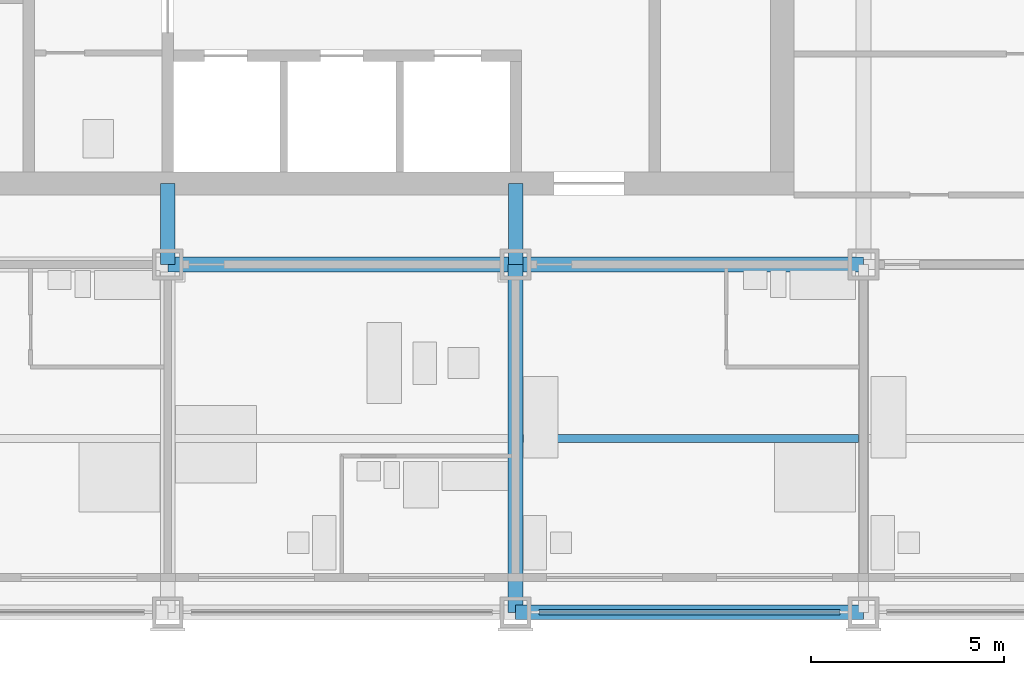
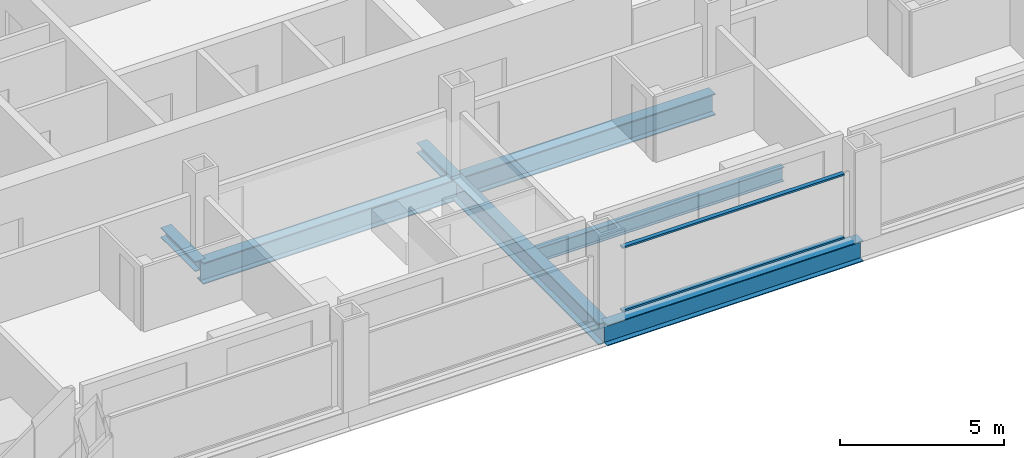
# One storey, part 3 of 18: 5 beams, 4 members, 1 element without a shape of its own.
"""IFC4 building model written with IfcOpenShell, lengths in metres."""

from ifc_helpers import new_model, si_unit, direction, frame, origin, origin_2d, place, context, subcontext, project, spatial, rectangle, i_section, extrude, material, material_profile, profile_set, type_object, element, aggregate, save


model = new_model("IFC4")

# Units and contexts
model_context = context("Model", 3, precision=1e-05, world=origin(), true_north=direction((0.0, 1.0)))
body_context = subcontext(model_context, "Body", "Model", "MODEL_VIEW")
ifc_project = project(units=[si_unit("LENGTHUNIT", "METRE"), si_unit("AREAUNIT", "SQUARE_METRE"), si_unit("VOLUMEUNIT", "CUBIC_METRE"), si_unit("PLANEANGLEUNIT", "RADIAN"), si_unit("MASSUNIT", "GRAM", prefix="KILO")], contexts=[model_context])

# Site, building, storey
site_placement = place(None, origin())
site = spatial("IfcSite", under=ifc_project, at=site_placement, CompositionType="ELEMENT")
building_placement = place(site_placement, origin())
building = spatial("IfcBuilding", under=site, at=building_placement, Name="Loomwork Tower", CompositionType="ELEMENT")
storey_placement = place(building_placement, frame((0.0, 0.0, 48.39990234375)))
storey = spatial("IfcBuildingStorey", under=building, at=storey_placement, Name="L11", CompositionType="ELEMENT", Elevation=48.39990234375)

# Beams
ifc_material_1 = material(Name="Steel ASTM A992", Category="steel")
ifc_material_profile_1 = material_profile(ifc_material_1, i_section(OverallWidth=0.383544921875, OverallDepth=0.794921875, WebThickness=0.02099609375, FlangeThickness=0.0380859375, at=origin_2d()), Name="W30x235")
ifc_profile_set_1 = profile_set([ifc_material_profile_1], Name="Steel ASTM A992")
beam_type_1 = type_object("IfcBeamType", Name="CORE FLANK GIRDER W30x235", PredefinedType="BEAM", material=ifc_profile_set_1)
for number, where, z_axis, x_axis, name in (
    (1, (18.0, 9.0, -0.597412109375), (1.0, 0.0, 0.0), (0.0, 1.0, 0.0), "Core Flank Girder E/4-E/5 L11"),
    (2, (27.0, 9.0, -0.597412109375), (1.0, 0.0, 0.0), (0.0, 1.0, 0.0), "Core Flank Girder E/5-E/6 L11"),
    (3, (27.0, 0.0, -0.597412109375), (0.0, 1.0, 0.0), (-1.0, 0.0, 0.0), "Core Flank Girder D/5-E/5 L11"),
):
    element("IfcBeam", number, at=place(storey_placement, frame(where, z_axis=z_axis, x_axis=x_axis)), inside=storey, type_object=beam_type_1, Name=name, PredefinedType="BEAM", context=body_context, shape_type="SweptSolid", body=[
        extrude(i_section(OverallWidth=0.383544921875, OverallDepth=0.794921875, WebThickness=0.02099609375, FlangeThickness=0.0380859375, at=origin_2d()), origin(), (0.0, 0.0, 1.0), 9.0),
    ])

# Members
ifc_material_2 = material(Name="Steel ASTM A992", Category="steel")
ifc_material_profile_2 = material_profile(ifc_material_2, i_section(OverallWidth=0.373291015625, OverallDepth=0.373291015625, WebThickness=0.016357421875, FlangeThickness=0.026123046875, at=origin_2d()), Name="W14x132")
ifc_profile_set_2 = profile_set([ifc_material_profile_2], Name="Steel ASTM A992")
member_type_1 = type_object("IfcMemberType", Name="CORE LINK STRUT W14x132", PredefinedType="STRUT", material=ifc_profile_set_2)
for number, where, z_axis, x_axis, name in (
    (4, (27.0, 9.0, -0.386474609375), (0.0, 1.0, 0.0), (-1.0, 0.0, 0.0), "Core link strut E/5-27.000,11.100 L11"),
    (5, (18.0, 9.0, -0.386474609375), (0.0, 1.0, 0.0), (-1.0, 0.0, 0.0), "Core link strut E/4-18.000,11.100 L11"),
):
    element("IfcMember", number, at=place(storey_placement, frame(where, z_axis=z_axis, x_axis=x_axis)), inside=storey, type_object=member_type_1, Name=name, PredefinedType="STRUT", context=body_context, shape_type="SweptSolid", body=[
        extrude(i_section(OverallWidth=0.373291015625, OverallDepth=0.373291015625, WebThickness=0.016357421875, FlangeThickness=0.026123046875, at=origin_2d()), origin(), (0.0, 0.0, 1.0), 2.10009765625),
    ])

# Beam
ifc_material_3 = material(Name="Steel ASTM A992", Category="steel")
ifc_material_profile_3 = material_profile(ifc_material_3, i_section(OverallWidth=0.2109375, OverallDepth=0.53857421875, WebThickness=0.011474609375, FlangeThickness=0.018798828125, at=origin_2d()), Name="W21x73")
ifc_profile_set_3 = profile_set([ifc_material_profile_3], Name="Steel ASTM A992")
beam_type_2 = type_object("IfcBeamType", Name="FLOOR JOIST W21x73", PredefinedType="JOIST", material=ifc_profile_set_3)
beam_1_placement = place(storey_placement, frame((27.19091796875, 4.5, -0.46923828125), z_axis=(1.0, 0.0, 0.0), x_axis=(0.0, 1.0, 0.0)))
element("IfcBeam", 6, at=beam_1_placement, inside=storey, type_object=beam_type_2, Name="Floor Joist 27.000,4.500-36.000,4.500 L11", PredefinedType="JOIST", context=body_context, shape_type="SweptSolid", body=[
    extrude(i_section(OverallWidth=0.2109375, OverallDepth=0.53857421875, WebThickness=0.011474609375, FlangeThickness=0.018798828125, at=origin_2d()), origin(), (0.0, 0.0, 1.0), 8.676025390625),
])

# Curtain wall, members
ifc_material_4 = material(Name="Aluminium curtain wall frame", Category="aluminium")
curtain_wall_type = type_object("IfcCurtainWallType", Name="Outer skin glazing hotel", PredefinedType="NOTDEFINED", material=ifc_material_4)
curtain_wall_placement = place(storey_placement, origin())
curtain_wall = element("IfcCurtainWall", 7, at=curtain_wall_placement, inside=storey, type_object=curtain_wall_type, Name="Outer skin glazing hotel cw/S-27", PredefinedType="NOTDEFINED")
ifc_material_5 = material(Name="Aluminium curtain wall frame", Category="aluminium")
ifc_material_profile_4 = material_profile(ifc_material_5, rectangle(XDim=0.14990234375, YDim=0.06494140625, at=origin_2d()), Name="AL 65x150")
ifc_profile_set_4 = profile_set([ifc_material_profile_4], Name="Aluminium curtain wall frame")
member_type_2 = type_object("IfcMemberType", Name="Outer skin glazing hotel transom", PredefinedType="USERDEFINED", material=ifc_profile_set_4)
member_1_placement = place(storey_placement, frame((27.60009765625, 0.0, 0.03271484375), z_axis=(1.0, 0.0, 0.0), x_axis=(0.0, 1.0, 0.0)))
member_1 = element("IfcMember", 8, at=member_1_placement, type_object=member_type_2, Name="CW1 transom 1.1", ObjectType="TRANSOM", PredefinedType="USERDEFINED", context=body_context, shape_type="SweptSolid", body=[
    extrude(rectangle(XDim=0.14990234375, YDim=0.06494140625, at=origin_2d()), origin(), (0.0, 0.0, 1.0), 7.7998046875),
])
member_2_placement = place(storey_placement, frame((27.60009765625, 0.0, 2.3876953125), z_axis=(1.0, 0.0, 0.0), x_axis=(0.0, 1.0, 0.0)))
member_2 = element("IfcMember", 9, at=member_2_placement, type_object=member_type_2, Name="CW1 transom 1.2", ObjectType="TRANSOM", PredefinedType="USERDEFINED", context=body_context, shape_type="SweptSolid", body=[
    extrude(rectangle(XDim=0.14990234375, YDim=0.06494140625, at=origin_2d()), origin(), (0.0, 0.0, 1.0), 7.7998046875),
])
aggregate(curtain_wall, [member_1, member_2])

# Beam
ifc_material_6 = material(Name="Steel ASTM A992", Category="steel")
ifc_material_profile_5 = material_profile(ifc_material_6, i_section(OverallWidth=0.381103515625, OverallDepth=0.77978515625, WebThickness=0.01806640625, FlangeThickness=0.0302734375, at=origin_2d()), Name="W30x191")
ifc_profile_set_5 = profile_set([ifc_material_profile_5], Name="Steel ASTM A992")
beam_type_3 = type_object("IfcBeamType", Name="SPANDREL GIRDER W30x191", PredefinedType="SPANDREL", material=ifc_profile_set_5)
beam_2_placement = place(storey_placement, frame((27.0, 0.0, -0.58984375), z_axis=(1.0, 0.0, 0.0), x_axis=(0.0, 1.0, 0.0)))
element("IfcBeam", 10, at=beam_2_placement, inside=storey, type_object=beam_type_3, Name="Spandrel Girder D/5-D/6 L11", PredefinedType="SPANDREL", context=body_context, shape_type="SweptSolid", body=[
    extrude(i_section(OverallWidth=0.381103515625, OverallDepth=0.77978515625, WebThickness=0.01806640625, FlangeThickness=0.0302734375, at=origin_2d()), origin(), (0.0, 0.0, 1.0), 9.0),
])

save(model, "model.ifc")
